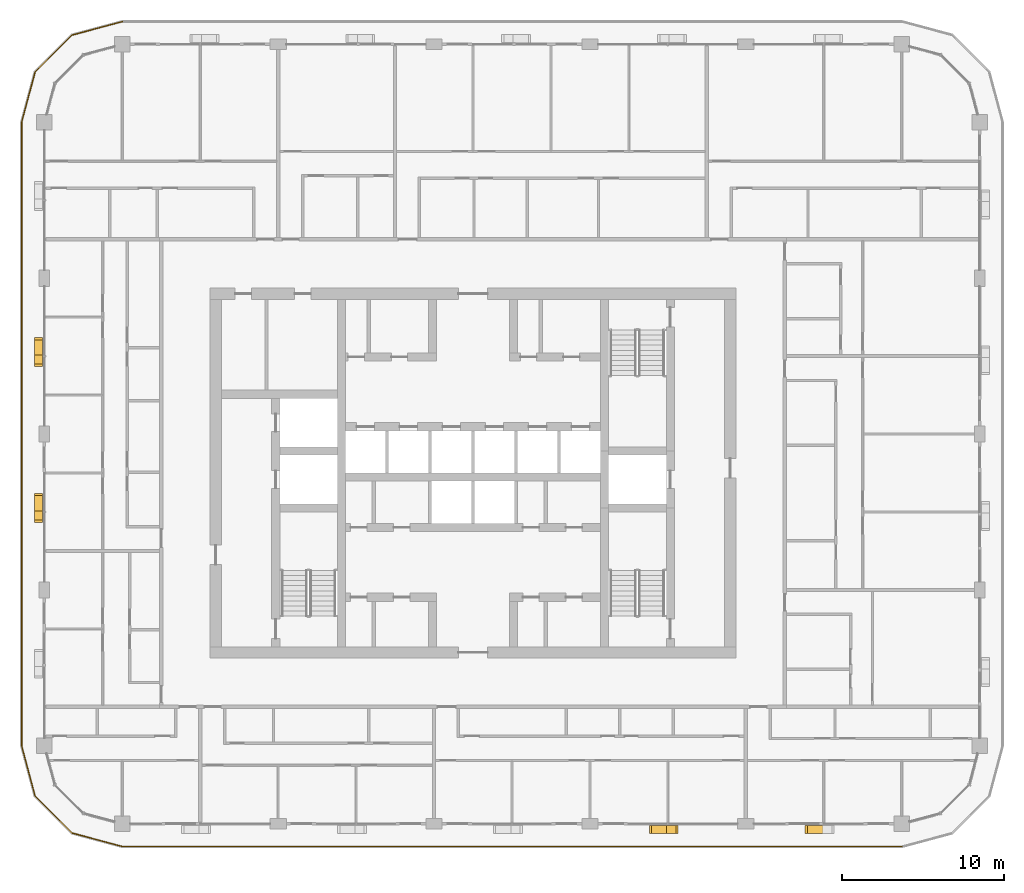
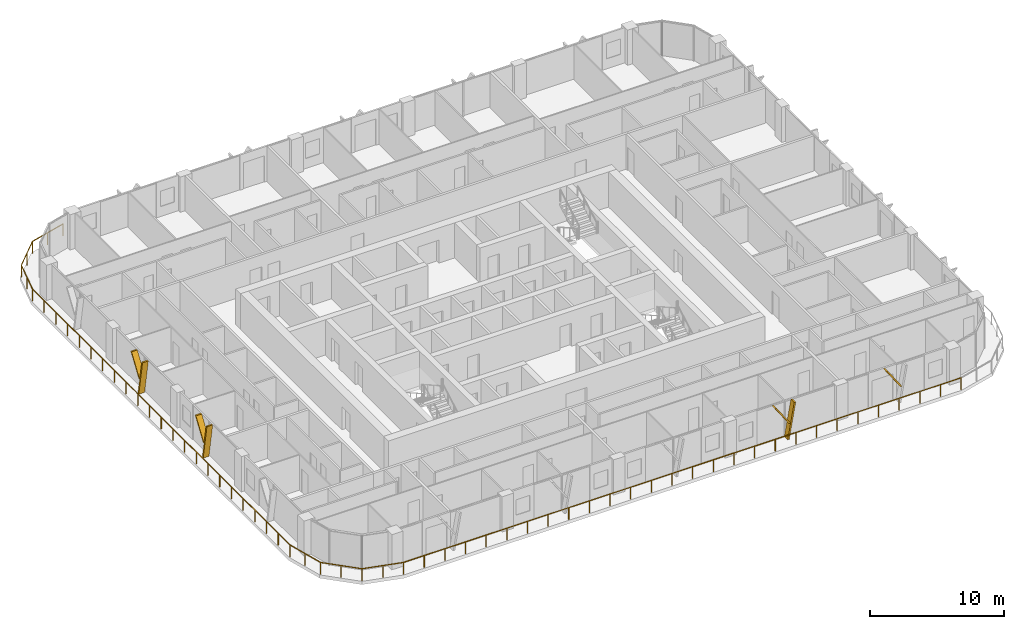
# One storey, part 19 of 23: 7 shading devices, 1 railing.
"""IFC4 building model written with IfcOpenShell, lengths in metres."""

import ifcopenshell
import ifcopenshell.guid

model = None  # the IFC model being written
_history = None  # IfcOwnerHistory: only IFC2X3 demands one
_inside = {}  # id of a spatial element -> (the spatial element, [elements in it])
_under = {}  # id of a project, library or spatial element -> (it, [spatial elements below it])
_declared = {}  # id of a project -> (the project, [libraries it declares])
_typed = {}  # id of a type object -> (the type object, [elements of that type])
_made_of = {}  # id of a material, layer set ... -> (it, [elements and type objects made of it])


def new_model(schema):
    """Start an empty IFC model of exactly this schema.

    Asked for "IFC4X3", IfcOpenShell would pick the latest addendum, in which some entities
    have other attributes; the version numbers below select the first issue.
    IFC2X3 requires an IfcOwnerHistory on every rooted entity: one is made here for all.
    """
    global model, _history
    if schema == "IFC4X3":
        model = ifcopenshell.file(schema_version=(4, 3, 0, 0))
    else:
        model = ifcopenshell.file(schema=schema)
    _inside.clear()
    _under.clear()
    _declared.clear()
    _typed.clear()
    _made_of.clear()
    _history = None
    if model.schema == "IFC2X3":
        org = make("IfcOrganization", Name="unknown")
        user = make(
            "IfcPersonAndOrganization",
            ThePerson=make("IfcPerson", FamilyName="unknown"),
            TheOrganization=org,
        )
        app = make(
            "IfcApplication",
            ApplicationDeveloper=org,
            Version="unknown",
            ApplicationFullName="unknown",
            ApplicationIdentifier="unknown",
        )
        _history = make(
            "IfcOwnerHistory",
            OwningUser=user,
            OwningApplication=app,
            ChangeAction="ADDED",
            CreationDate=0,
        )
    return model


def make(cls, **values):
    """One entity of the class cls with the attributes given. An attribute that is None is left unset."""
    return model.create_entity(
        cls, **{name: value for name, value in values.items() if value is not None}
    )


def rooted(cls, **values):
    """An entity with a GlobalId (a new one), such as an element, a storey or a relation."""
    return make(cls, GlobalId=ifcopenshell.guid.new(), OwnerHistory=_history, **values)


def si_unit(unit_type, name, prefix=None):
    """IfcSIUnit, for example si_unit("LENGTHUNIT", "METRE", prefix="MILLI")."""
    return make("IfcSIUnit", UnitType=unit_type, Prefix=prefix, Name=name)


def assignment(units):
    """IfcUnitAssignment: the units of a project."""
    return None if units is None else make("IfcUnitAssignment", Units=units)


def point(xyz):
    """IfcCartesianPoint."""
    return None if xyz is None else make("IfcCartesianPoint", Coordinates=xyz)


def direction(xyz):
    """IfcDirection."""
    return None if xyz is None else make("IfcDirection", DirectionRatios=xyz)


def frame(location, z_axis=None, x_axis=None):
    """IfcAxis2Placement3D, a coordinate frame: its origin and axes. An axis left out is left unset."""
    return make(
        "IfcAxis2Placement3D",
        Location=point(location),
        Axis=direction(z_axis),
        RefDirection=direction(x_axis),
    )


def frame_2d(location, x_axis=None):
    """IfcAxis2Placement2D, a coordinate frame in the plane: its origin and x axis."""
    return make(
        "IfcAxis2Placement2D", Location=point(location), RefDirection=direction(x_axis)
    )


def origin():
    """The frame at (0, 0, 0) with its axes left unset."""
    return frame((0.0, 0.0, 0.0))


def origin_2d():
    """The frame at (0, 0) in the plane with its x axis left unset."""
    return frame_2d((0.0, 0.0))


def place(relative_to, where):
    """IfcLocalPlacement: puts the frame where relative to a parent placement (None: the world)."""
    return make(
        "IfcLocalPlacement", PlacementRelTo=relative_to, RelativePlacement=where
    )


def context(
    kind, dimensions, precision=None, world=None, true_north=None, identifier=None
):
    """IfcGeometricRepresentationContext, for example the 3D "Model" context."""
    return make(
        "IfcGeometricRepresentationContext",
        ContextIdentifier=identifier,
        ContextType=kind,
        CoordinateSpaceDimension=dimensions,
        Precision=precision,
        WorldCoordinateSystem=world,
        TrueNorth=true_north,
    )


def subcontext(parent, identifier, kind, view, scale=None):
    """IfcGeometricRepresentationSubContext, for example "Body" below "Model"."""
    return make(
        "IfcGeometricRepresentationSubContext",
        ContextIdentifier=identifier,
        ContextType=kind,
        ParentContext=parent,
        TargetScale=scale,
        TargetView=view,
    )


def project(units=None, contexts=None):
    """IfcProject with its units and contexts."""
    return rooted(
        "IfcProject",
        Name="project",
        RepresentationContexts=contexts,
        UnitsInContext=assignment(units),
    )


def spatial(cls, under=None, at=None, **own):
    """A site, building, storey or space (cls), placed at a placement, below another one or the project."""
    s = rooted(cls, ObjectPlacement=at, **own)
    if under is not None:
        _under.setdefault(under.id(), (under, []))[1].append(s)
    return s


def polyline(points):
    """IfcPolyline through the points."""
    return make("IfcPolyline", Points=[point(p) for p in points])


def profile(cls, at=None, kind="AREA", **sizes):
    """A parametric profile (cls). Its sizes go by their IFC names, for example OverallWidth=200.0."""
    return make(cls, ProfileType=kind, Position=at, **sizes)


def circle(**sizes):
    """IfcCircleProfileDef."""
    return profile("IfcCircleProfileDef", **sizes)


def outline(outer, holes=None, kind="AREA"):
    """IfcArbitraryClosedProfileDef: a profile drawn as a closed curve; with holes, ...WithVoids."""
    if holes is None:
        return make("IfcArbitraryClosedProfileDef", ProfileType=kind, OuterCurve=outer)
    return make(
        "IfcArbitraryProfileDefWithVoids",
        ProfileType=kind,
        OuterCurve=outer,
        InnerCurves=holes,
    )


def extrude(swept, where, along, depth):
    """IfcExtrudedAreaSolid: the profile swept, set in the frame where, extruded along a direction by depth."""
    return make(
        "IfcExtrudedAreaSolid",
        SweptArea=swept,
        Position=where,
        ExtrudedDirection=direction(along),
        Depth=depth,
    )


def shape(context_of_items, identifier, shape_type, items):
    """IfcShapeRepresentation: the items that make up one representation, for example the "Body"."""
    return make(
        "IfcShapeRepresentation",
        ContextOfItems=context_of_items,
        RepresentationIdentifier=identifier,
        RepresentationType=shape_type,
        Items=items,
    )


def material(Name=None, Category=None):
    """IfcMaterial."""
    return make("IfcMaterial", Name=Name, Category=Category)


def made_of(thing, what):
    """Note that an element or type object is made of a material, layer set ...; save() writes the relation."""
    if what is not None:
        _made_of.setdefault(what.id(), (what, []))[1].append(thing)
    return thing


def type_object(cls, material=None, **own):
    """A type object (cls), such as IfcWallType, which elements share."""
    return made_of(rooted(cls, **own), material)


def element(
    cls,
    number,
    at=None,
    inside=None,
    cuts=None,
    type_object=None,
    material=None,
    context=None,
    identifier="Body",
    shape_type=None,
    held_by="IfcProductDefinitionShape",
    body=None,
    shapes=None,
    **own,
):
    """One element of the class cls, such as IfcWall. Its Tag is "e" and its number.

    at: its placement. inside: the storey or other place that contains it. cuts: it is an
    opening in that element (IfcRelVoidsElement). A single representation is given by context,
    identifier, shape_type and body (its items); several are given by shapes. held_by: the class
    of the entity that holds the representations. save() writes the other relations.
    """
    e = rooted(cls, Tag="e%d" % number, ObjectPlacement=at, **own)
    if body is not None:
        shapes = [shape(context, identifier, shape_type, body)]
    if shapes is not None:
        e.Representation = make(held_by, Representations=shapes)
    if inside is not None:
        _inside.setdefault(inside.id(), (inside, []))[1].append(e)
    if cuts is not None:
        rooted(
            "IfcRelVoidsElement", RelatingBuildingElement=cuts, RelatedOpeningElement=e
        )
    if type_object is not None:
        _typed.setdefault(type_object.id(), (type_object, []))[1].append(e)
    return made_of(e, material)


def aggregate(whole, parts):
    """IfcRelAggregates: a whole, such as a stair, and the parts it consists of."""
    return rooted("IfcRelAggregates", RelatingObject=whole, RelatedObjects=parts)


def save(model, path):
    """Write the relations noted so far, then the file.

    IfcRelAggregates (storeys below a building ...), IfcRelContainedInSpatialStructure (elements
    in a storey), IfcRelDefinesByType, IfcRelAssociatesMaterial and IfcRelDeclares: one each for
    every whole, place, type object, material and project.
    """
    for whole, parts in _under.values():
        aggregate(whole, parts)
    for where, things in _inside.values():
        rooted(
            "IfcRelContainedInSpatialStructure",
            RelatedElements=things,
            RelatingStructure=where,
        )
    for kind, things in _typed.values():
        rooted("IfcRelDefinesByType", RelatedObjects=things, RelatingType=kind)
    for what, things in _made_of.values():
        rooted("IfcRelAssociatesMaterial", RelatedObjects=things, RelatingMaterial=what)
    for by, libraries in _declared.values():
        rooted("IfcRelDeclares", RelatingContext=by, RelatedDefinitions=libraries)
    model.write(path)


model = new_model("IFC4")

# Units and contexts
model_context = context("Model", 3, precision=1e-05, world=origin(), true_north=direction((0.0, 1.0)))
body_context = subcontext(model_context, "Body", "Model", "MODEL_VIEW")
ifc_project = project(units=[si_unit("LENGTHUNIT", "METRE"), si_unit("AREAUNIT", "SQUARE_METRE"), si_unit("VOLUMEUNIT", "CUBIC_METRE"), si_unit("PLANEANGLEUNIT", "RADIAN"), si_unit("MASSUNIT", "GRAM", prefix="KILO")], contexts=[model_context])

# Site, building, storey
site_placement = place(None, origin())
site = spatial("IfcSite", under=ifc_project, at=site_placement, CompositionType="ELEMENT")
building_placement = place(site_placement, origin())
building = spatial("IfcBuilding", under=site, at=building_placement, Name="Madar Terraces", CompositionType="ELEMENT")
storey_placement = place(building_placement, frame((0.0, 0.0, 222.800048828125)))
storey = spatial("IfcBuildingStorey", under=building, at=storey_placement, Name="L58", CompositionType="ELEMENT", Elevation=222.800048828125)

# Railing
ifc_material_1 = material(Name="Glass, safety glazing, with stainless steel posts", Category="steel")
railing_type = type_object("IfcRailingType", Name="Balcony glass guard 1100", PredefinedType="GUARDRAIL", material=ifc_material_1)
railing_placement = place(storey_placement, frame((9.60009765625, 54.199951171875, 0.0)))
element("IfcRailing", 1, at=railing_placement, inside=storey, type_object=railing_type, Name="Balcony guard", PredefinedType="GUARDRAIL", context=body_context, shape_type="SweptSolid", body=[
    extrude(circle(Radius=0.02392578125, at=origin_2d()), frame((0.0, 0.0, 1.076171875), z_axis=(-0.9659337912, -0.258789317819, 0.0), x_axis=(0.258789317819, -0.9659337912, 0.0)), (0.0, 0.0, 1.0), 3.20947265625),
    extrude(circle(Radius=0.02392578125, at=origin_2d()), frame((-3.10009765625, -0.83056640625, 1.076171875), z_axis=(-0.707106781187, -0.707106781187, 0.0), x_axis=(0.707106781187, -0.707106781187, 0.0)), (0.0, 0.0, 1.0), 3.209228515625),
    extrude(circle(Radius=0.02392578125, at=origin_2d()), frame((-5.369384765625, -3.099853515625, 1.076171875), z_axis=(-0.258860290944, -0.965914773555, 0.0), x_axis=(0.965914773555, -0.258860290944, 0.0)), (0.0, 0.0, 1.0), 3.20947265625),
    extrude(circle(Radius=0.02392578125, at=origin_2d()), frame((-6.2001953125, -6.199951171875, 1.076171875), z_axis=(0.0, -1.0, 0.0), x_axis=(1.0, 0.0, 0.0)), (0.0, 0.0, 1.0), 38.39990234375),
    extrude(circle(Radius=0.02392578125, at=origin_2d()), frame((-6.2001953125, -44.599853515625, 1.076171875), z_axis=(0.258860290944, -0.965914773555, 0.0), x_axis=(0.965914773555, 0.258860290944, 0.0)), (0.0, 0.0, 1.0), 3.20947265625),
    extrude(circle(Radius=0.02392578125, at=origin_2d()), frame((-5.369384765625, -47.699951171875, 1.076171875), z_axis=(0.707106781187, -0.707106781187, 0.0), x_axis=(0.707106781187, 0.707106781187, 0.0)), (0.0, 0.0, 1.0), 3.209228515625),
    extrude(circle(Radius=0.02392578125, at=origin_2d()), frame((-3.10009765625, -49.96923828125, 1.076171875), z_axis=(0.965914773555, -0.258860290944, 0.0), x_axis=(0.258860290944, 0.965914773555, 0.0)), (0.0, 0.0, 1.0), 3.20947265625),
    extrude(circle(Radius=0.02392578125, at=origin_2d()), frame((0.0, -50.800048828125, 1.076171875), z_axis=(1.0, 0.0, 0.0), x_axis=(0.0, 1.0, 0.0)), (0.0, 0.0, 1.0), 48.0),
    extrude(circle(Radius=0.02099609375, at=origin_2d()), origin(), (0.0, 0.0, 1.0), 1.052001953125),
    extrude(circle(Radius=0.02099609375, at=origin_2d()), frame((-1.550048828125, -0.415283203125, 0.0)), (0.0, 0.0, 1.0), 1.052001953125),
    extrude(circle(Radius=0.02099609375, at=origin_2d()), frame((-3.10009765625, -0.83056640625, 0.0)), (0.0, 0.0, 1.0), 1.052001953125),
    extrude(circle(Radius=0.02099609375, at=origin_2d()), frame((-4.23486328125, -1.96533203125, 0.0)), (0.0, 0.0, 1.0), 1.052001953125),
    extrude(circle(Radius=0.02099609375, at=origin_2d()), frame((-5.369384765625, -3.099853515625, 0.0)), (0.0, 0.0, 1.0), 1.052001953125),
    extrude(circle(Radius=0.02099609375, at=origin_2d()), frame((-5.78466796875, -4.64990234375, 0.0)), (0.0, 0.0, 1.0), 1.052001953125),
    extrude(circle(Radius=0.02099609375, at=origin_2d()), frame((-6.2001953125, -6.199951171875, 0.0)), (0.0, 0.0, 1.0), 1.052001953125),
    extrude(circle(Radius=0.02099609375, at=origin_2d()), frame((-6.2001953125, -7.9453125, 0.0)), (0.0, 0.0, 1.0), 1.052001953125),
    extrude(circle(Radius=0.02099609375, at=origin_2d()), frame((-6.2001953125, -9.69091796875, 0.0)), (0.0, 0.0, 1.0), 1.052001953125),
    extrude(circle(Radius=0.02099609375, at=origin_2d()), frame((-6.2001953125, -11.436279296875, 0.0)), (0.0, 0.0, 1.0), 1.052001953125),
    extrude(circle(Radius=0.02099609375, at=origin_2d()), frame((-6.2001953125, -13.181640625, 0.0)), (0.0, 0.0, 1.0), 1.052001953125),
    extrude(circle(Radius=0.02099609375, at=origin_2d()), frame((-6.2001953125, -14.92724609375, 0.0)), (0.0, 0.0, 1.0), 1.052001953125),
    extrude(circle(Radius=0.02099609375, at=origin_2d()), frame((-6.2001953125, -16.672607421875, 0.0)), (0.0, 0.0, 1.0), 1.052001953125),
    extrude(circle(Radius=0.02099609375, at=origin_2d()), frame((-6.2001953125, -18.418212890625, 0.0)), (0.0, 0.0, 1.0), 1.052001953125),
    extrude(circle(Radius=0.02099609375, at=origin_2d()), frame((-6.2001953125, -20.16357421875, 0.0)), (0.0, 0.0, 1.0), 1.052001953125),
    extrude(circle(Radius=0.02099609375, at=origin_2d()), frame((-6.2001953125, -21.908935546875, 0.0)), (0.0, 0.0, 1.0), 1.052001953125),
    extrude(circle(Radius=0.02099609375, at=origin_2d()), frame((-6.2001953125, -23.654541015625, 0.0)), (0.0, 0.0, 1.0), 1.052001953125),
    extrude(circle(Radius=0.02099609375, at=origin_2d()), frame((-6.2001953125, -25.39990234375, 0.0)), (0.0, 0.0, 1.0), 1.052001953125),
    extrude(circle(Radius=0.02099609375, at=origin_2d()), frame((-6.2001953125, -27.145263671875, 0.0)), (0.0, 0.0, 1.0), 1.052001953125),
    extrude(circle(Radius=0.02099609375, at=origin_2d()), frame((-6.2001953125, -28.890869140625, 0.0)), (0.0, 0.0, 1.0), 1.052001953125),
    extrude(circle(Radius=0.02099609375, at=origin_2d()), frame((-6.2001953125, -30.63623046875, 0.0)), (0.0, 0.0, 1.0), 1.052001953125),
    extrude(circle(Radius=0.02099609375, at=origin_2d()), frame((-6.2001953125, -32.381591796875, 0.0)), (0.0, 0.0, 1.0), 1.052001953125),
    extrude(circle(Radius=0.02099609375, at=origin_2d()), frame((-6.2001953125, -34.127197265625, 0.0)), (0.0, 0.0, 1.0), 1.052001953125),
    extrude(circle(Radius=0.02099609375, at=origin_2d()), frame((-6.2001953125, -35.87255859375, 0.0)), (0.0, 0.0, 1.0), 1.052001953125),
    extrude(circle(Radius=0.02099609375, at=origin_2d()), frame((-6.2001953125, -37.6181640625, 0.0)), (0.0, 0.0, 1.0), 1.052001953125),
    extrude(circle(Radius=0.02099609375, at=origin_2d()), frame((-6.2001953125, -39.363525390625, 0.0)), (0.0, 0.0, 1.0), 1.052001953125),
    extrude(circle(Radius=0.02099609375, at=origin_2d()), frame((-6.2001953125, -41.10888671875, 0.0)), (0.0, 0.0, 1.0), 1.052001953125),
    extrude(circle(Radius=0.02099609375, at=origin_2d()), frame((-6.2001953125, -42.8544921875, 0.0)), (0.0, 0.0, 1.0), 1.052001953125),
    extrude(circle(Radius=0.02099609375, at=origin_2d()), frame((-6.2001953125, -44.599853515625, 0.0)), (0.0, 0.0, 1.0), 1.052001953125),
    extrude(circle(Radius=0.02099609375, at=origin_2d()), frame((-5.78466796875, -46.14990234375, 0.0)), (0.0, 0.0, 1.0), 1.052001953125),
    extrude(circle(Radius=0.02099609375, at=origin_2d()), frame((-5.369384765625, -47.699951171875, 0.0)), (0.0, 0.0, 1.0), 1.052001953125),
    extrude(circle(Radius=0.02099609375, at=origin_2d()), frame((-4.23486328125, -48.83447265625, 0.0)), (0.0, 0.0, 1.0), 1.052001953125),
    extrude(circle(Radius=0.02099609375, at=origin_2d()), frame((-3.10009765625, -49.96923828125, 0.0)), (0.0, 0.0, 1.0), 1.052001953125),
    extrude(circle(Radius=0.02099609375, at=origin_2d()), frame((-1.550048828125, -50.384765625, 0.0)), (0.0, 0.0, 1.0), 1.052001953125),
    extrude(circle(Radius=0.02099609375, at=origin_2d()), frame((0.0, -50.800048828125, 0.0)), (0.0, 0.0, 1.0), 1.052001953125),
    extrude(circle(Radius=0.02099609375, at=origin_2d()), frame((1.77783203125, -50.800048828125, 0.0)), (0.0, 0.0, 1.0), 1.052001953125),
    extrude(circle(Radius=0.02099609375, at=origin_2d()), frame((3.5556640625, -50.800048828125, 0.0)), (0.0, 0.0, 1.0), 1.052001953125),
    extrude(circle(Radius=0.02099609375, at=origin_2d()), frame((5.333251953125, -50.800048828125, 0.0)), (0.0, 0.0, 1.0), 1.052001953125),
    extrude(circle(Radius=0.02099609375, at=origin_2d()), frame((7.111083984375, -50.800048828125, 0.0)), (0.0, 0.0, 1.0), 1.052001953125),
    extrude(circle(Radius=0.02099609375, at=origin_2d()), frame((8.888916015625, -50.800048828125, 0.0)), (0.0, 0.0, 1.0), 1.052001953125),
    extrude(circle(Radius=0.02099609375, at=origin_2d()), frame((10.666748046875, -50.800048828125, 0.0)), (0.0, 0.0, 1.0), 1.052001953125),
    extrude(circle(Radius=0.02099609375, at=origin_2d()), frame((12.4443359375, -50.800048828125, 0.0)), (0.0, 0.0, 1.0), 1.052001953125),
    extrude(circle(Radius=0.02099609375, at=origin_2d()), frame((14.22216796875, -50.800048828125, 0.0)), (0.0, 0.0, 1.0), 1.052001953125),
    extrude(circle(Radius=0.02099609375, at=origin_2d()), frame((16.0, -50.800048828125, 0.0)), (0.0, 0.0, 1.0), 1.052001953125),
    extrude(circle(Radius=0.02099609375, at=origin_2d()), frame((17.77783203125, -50.800048828125, 0.0)), (0.0, 0.0, 1.0), 1.052001953125),
    extrude(circle(Radius=0.02099609375, at=origin_2d()), frame((19.5556640625, -50.800048828125, 0.0)), (0.0, 0.0, 1.0), 1.052001953125),
    extrude(circle(Radius=0.02099609375, at=origin_2d()), frame((21.333251953125, -50.800048828125, 0.0)), (0.0, 0.0, 1.0), 1.052001953125),
    extrude(circle(Radius=0.02099609375, at=origin_2d()), frame((23.111083984375, -50.800048828125, 0.0)), (0.0, 0.0, 1.0), 1.052001953125),
    extrude(circle(Radius=0.02099609375, at=origin_2d()), frame((24.888916015625, -50.800048828125, 0.0)), (0.0, 0.0, 1.0), 1.052001953125),
    extrude(circle(Radius=0.02099609375, at=origin_2d()), frame((26.666748046875, -50.800048828125, 0.0)), (0.0, 0.0, 1.0), 1.052001953125),
    extrude(circle(Radius=0.02099609375, at=origin_2d()), frame((28.4443359375, -50.800048828125, 0.0)), (0.0, 0.0, 1.0), 1.052001953125),
    extrude(circle(Radius=0.02099609375, at=origin_2d()), frame((30.22216796875, -50.800048828125, 0.0)), (0.0, 0.0, 1.0), 1.052001953125),
    extrude(circle(Radius=0.02099609375, at=origin_2d()), frame((32.0, -50.800048828125, 0.0)), (0.0, 0.0, 1.0), 1.052001953125),
    extrude(circle(Radius=0.02099609375, at=origin_2d()), frame((33.77783203125, -50.800048828125, 0.0)), (0.0, 0.0, 1.0), 1.052001953125),
    extrude(circle(Radius=0.02099609375, at=origin_2d()), frame((35.5556640625, -50.800048828125, 0.0)), (0.0, 0.0, 1.0), 1.052001953125),
    extrude(circle(Radius=0.02099609375, at=origin_2d()), frame((37.333251953125, -50.800048828125, 0.0)), (0.0, 0.0, 1.0), 1.052001953125),
    extrude(circle(Radius=0.02099609375, at=origin_2d()), frame((39.111083984375, -50.800048828125, 0.0)), (0.0, 0.0, 1.0), 1.052001953125),
    extrude(circle(Radius=0.02099609375, at=origin_2d()), frame((40.888916015625, -50.800048828125, 0.0)), (0.0, 0.0, 1.0), 1.052001953125),
    extrude(circle(Radius=0.02099609375, at=origin_2d()), frame((42.666748046875, -50.800048828125, 0.0)), (0.0, 0.0, 1.0), 1.052001953125),
    extrude(circle(Radius=0.02099609375, at=origin_2d()), frame((44.4443359375, -50.800048828125, 0.0)), (0.0, 0.0, 1.0), 1.052001953125),
    extrude(circle(Radius=0.02099609375, at=origin_2d()), frame((46.22216796875, -50.800048828125, 0.0)), (0.0, 0.0, 1.0), 1.052001953125),
    extrude(circle(Radius=0.02099609375, at=origin_2d()), frame((48.0, -50.800048828125, 0.0)), (0.0, 0.0, 1.0), 1.052001953125),
])

# Shading devices
ifc_material_2 = material(Name="Aluminium, black anodised", Category="aluminium")
shading_device_type = type_object("IfcShadingDeviceType", Name="Facade fin blade 140 x 500", PredefinedType="USERDEFINED", material=ifc_material_2)
shading_device_1_placement = place(storey_placement, frame((43.1298828125, 4.449951171875, 0.0), z_axis=(0.0, 0.0, 1.0), x_axis=(1.0, 0.0, 0.0)))
element("IfcShadingDevice", 2, at=shading_device_1_placement, inside=storey, type_object=shading_device_type, Name="FIN L58 S4", ObjectType="FIN", PredefinedType="USERDEFINED", context=body_context, shape_type="SweptSolid", body=[
    extrude(outline(polyline([(0.0, 0.0), (0.14013671875, 0.0), (0.704345703125, 3.199951171875), (0.564208984375, 3.199951171875), (0.0, 0.0)])), frame((0.0, 0.25, 0.0), z_axis=(0.0, -1.0, 0.0), x_axis=(1.0, 0.0, 0.0)), (0.0, 0.0, 1.0), 0.5),
])
for number, where, z_axis, x_axis, name in (
    (3, (43.243896484375, 4.449951171875, 1.43994140625), (0.0, 0.0, 1.0), (1.0, 0.0, 0.0), "FIN L58 S4 branch"),
    (4, (52.843994140625, 4.449951171875, 1.43994140625), (0.0, 0.0, 1.0), (1.0, 0.0, 0.0), "FIN L58 S5 branch"),
):
    element("IfcShadingDevice", number, at=place(storey_placement, frame(where, z_axis=z_axis, x_axis=x_axis)), inside=storey, type_object=shading_device_type, Name=name, ObjectType="FIN", PredefinedType="USERDEFINED", context=body_context, shape_type="SweptSolid", body=[
        extrude(outline(polyline([(0.0, 0.0), (0.139892578125, 0.0), (-1.049560546875, 1.760009765625), (-1.189697265625, 1.760009765625), (0.0, 0.0)])), frame((0.0, 0.25, 0.0), z_axis=(0.0, -1.0, 0.0), x_axis=(1.0, 0.0, 0.0)), (0.0, 0.0, 1.0), 0.5),
    ])
shading_device_2_placement = place(storey_placement, frame((4.449951171875, 33.669921875, 0.0), z_axis=(0.0, 0.0, 1.0), x_axis=(0.0, -1.0, 0.0)))
element("IfcShadingDevice", 5, at=shading_device_2_placement, inside=storey, type_object=shading_device_type, Name="FIN L58 W2", ObjectType="FIN", PredefinedType="USERDEFINED", context=body_context, shape_type="SweptSolid", body=[
    extrude(outline(polyline([(0.0, 0.0), (0.139892578125, 0.0), (0.704345703125, 3.199951171875), (0.564208984375, 3.199951171875), (0.0, 0.0)])), frame((0.0, 0.25, 0.0), z_axis=(0.0, -1.0, 0.0), x_axis=(1.0, 0.0, 0.0)), (0.0, 0.0, 1.0), 0.5),
])
shading_device_3_placement = place(storey_placement, frame((4.449951171875, 33.55615234375, 1.43994140625), z_axis=(0.0, 0.0, 1.0), x_axis=(0.0, -1.0, 0.0)))
element("IfcShadingDevice", 6, at=shading_device_3_placement, inside=storey, type_object=shading_device_type, Name="FIN L58 W2 branch", ObjectType="FIN", PredefinedType="USERDEFINED", context=body_context, shape_type="SweptSolid", body=[
    extrude(outline(polyline([(0.0, 0.0), (0.14013671875, 0.0), (-1.049560546875, 1.760009765625), (-1.189697265625, 1.760009765625), (0.0, 0.0)])), frame((0.0, 0.25, 0.0), z_axis=(0.0, -1.0, 0.0), x_axis=(1.0, 0.0, 0.0)), (0.0, 0.0, 1.0), 0.5),
])
shading_device_4_placement = place(storey_placement, frame((4.449951171875, 24.070068359375, 0.0), z_axis=(0.0, 0.0, 1.0), x_axis=(0.0, -1.0, 0.0)))
element("IfcShadingDevice", 7, at=shading_device_4_placement, inside=storey, type_object=shading_device_type, Name="FIN L58 W3", ObjectType="FIN", PredefinedType="USERDEFINED", context=body_context, shape_type="SweptSolid", body=[
    extrude(outline(polyline([(0.0, 0.0), (0.14013671875, 0.0), (0.704345703125, 3.199951171875), (0.564208984375, 3.199951171875), (0.0, 0.0)])), frame((0.0, 0.25, 0.0), z_axis=(0.0, -1.0, 0.0), x_axis=(1.0, 0.0, 0.0)), (0.0, 0.0, 1.0), 0.5),
])
shading_device_5_placement = place(storey_placement, frame((4.449951171875, 23.9560546875, 1.43994140625), z_axis=(0.0, 0.0, 1.0), x_axis=(0.0, -1.0, 0.0)))
element("IfcShadingDevice", 8, at=shading_device_5_placement, inside=storey, type_object=shading_device_type, Name="FIN L58 W3 branch", ObjectType="FIN", PredefinedType="USERDEFINED", context=body_context, shape_type="SweptSolid", body=[
    extrude(outline(polyline([(0.0, 0.0), (0.139892578125, 0.0), (-1.049560546875, 1.760009765625), (-1.189697265625, 1.760009765625), (0.0, 0.0)])), frame((0.0, 0.25, 0.0), z_axis=(0.0, -1.0, 0.0), x_axis=(1.0, 0.0, 0.0)), (0.0, 0.0, 1.0), 0.5),
])

save(model, "model.ifc")
